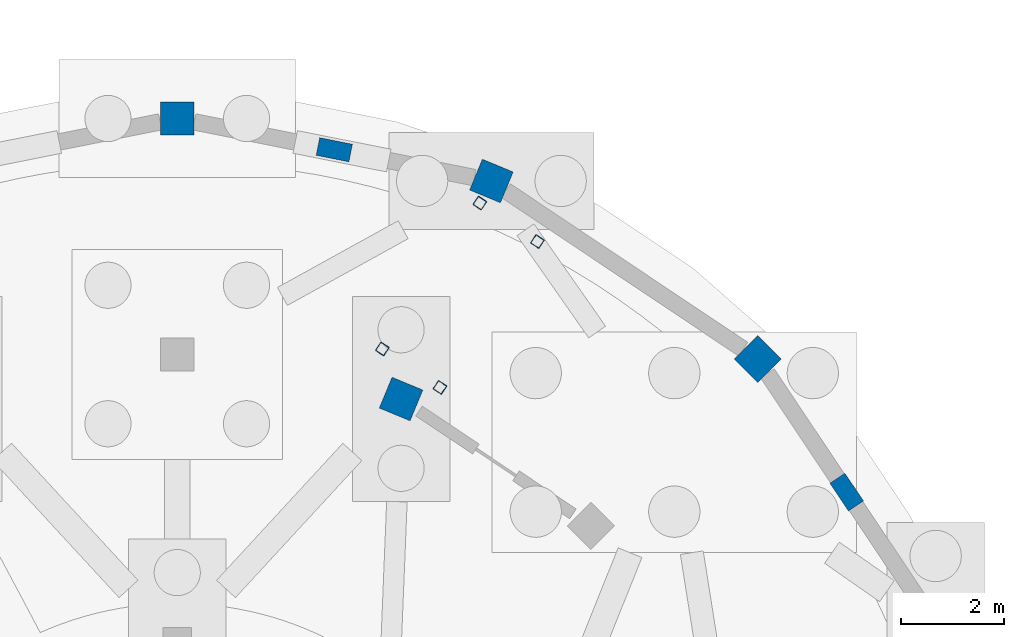
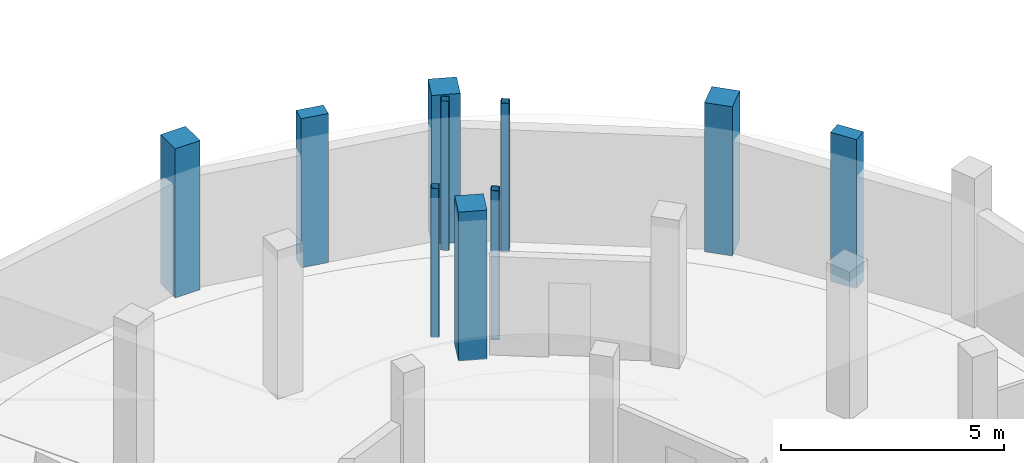
# One storey, part 25 of 58: 10 columns.
"""IFC4 building model written with IfcOpenShell, lengths in metres."""

from ifc_helpers import new_model, si_unit, direction, frame, origin, origin_2d, place, context, subcontext, project, spatial, rectangle, hollow_rectangle, extrude, material, material_profile, profile_set, type_object, element, save


model = new_model("IFC4")

# Units and contexts
model_context = context("Model", 3, precision=1e-05, world=origin(), true_north=direction((0.0, 1.0)))
body_context = subcontext(model_context, "Body", "Model", "MODEL_VIEW")
ifc_project = project(units=[si_unit("LENGTHUNIT", "METRE"), si_unit("AREAUNIT", "SQUARE_METRE"), si_unit("VOLUMEUNIT", "CUBIC_METRE"), si_unit("PLANEANGLEUNIT", "RADIAN"), si_unit("MASSUNIT", "GRAM", prefix="KILO")], contexts=[model_context])

# Site, building, storey
site_placement = place(None, origin())
site = spatial("IfcSite", under=ifc_project, at=site_placement, CompositionType="ELEMENT")
building_placement = place(site_placement, origin())
building = spatial("IfcBuilding", under=site, at=building_placement, Name="Caldaven Crescent School", CompositionType="ELEMENT")
storey_placement = place(building_placement, frame((0.0, 0.0, -4.080078125)))
storey = spatial("IfcBuildingStorey", under=building, at=storey_placement, Name="B1", CompositionType="ELEMENT", Elevation=-4.080078125)

# Columns
ifc_material_1 = material(Name="Steel ASTM A572 Grade 50", Category="steel")
ifc_material_profile_1 = material_profile(ifc_material_1, hollow_rectangle(XDim=0.199951171875, YDim=0.199951171875, WallThickness=0.010009765625, InnerFilletRadius=0.010009765625, OuterFilletRadius=0.02001953125, at=origin_2d()), Name="HSS 200x200x10")
ifc_profile_set_1 = profile_set([ifc_material_profile_1], Name="Steel ASTM A572 Grade 50")
column_type_1 = type_object("IfcColumnType", Name="COL-HS20", PredefinedType="COLUMN", material=ifc_profile_set_1)
for number, where, z_axis, x_axis, name in (
    (1, (30.52001953125, 112.102294921875, 0.0), (0.0, 0.0, 1.0), (-0.831469612303, 0.55557023302, 0.0), "COL-STPOST-STV2-B1-A"),
    (2, (28.6201171875, 109.258544921875, 0.0), (0.0, 0.0, 1.0), (-0.831469612303, 0.55557023302, 0.0), "COL-STPOST-STV2-B1-B"),
    (3, (29.397705078125, 112.852294921875, 0.0), (0.0, 0.0, 1.0), (-0.831469612303, 0.55557023302, 0.0), "COL-STPOST-STV2-B1-C"),
    (4, (27.49755859375, 110.008544921875, 0.0), (0.0, 0.0, 1.0), (-0.831469612303, 0.55557023302, 0.0), "COL-STPOST-STV2-B1-D"),
):
    element("IfcColumn", number, at=place(storey_placement, frame(where, z_axis=z_axis, x_axis=x_axis)), inside=storey, type_object=column_type_1, Name=name, PredefinedType="COLUMN", context=body_context, shape_type="SweptSolid", body=[
        extrude(hollow_rectangle(XDim=0.199951171875, YDim=0.199951171875, WallThickness=0.010009765625, InnerFilletRadius=0.010009765625, OuterFilletRadius=0.02001953125, at=origin_2d()), origin(), (0.0, 0.0, 1.0), 4.080078125),
    ])
ifc_material_2 = material(Name="Concrete C35/45", Category="concrete")
ifc_material_profile_2 = material_profile(ifc_material_2, rectangle(XDim=0.64990234375, YDim=0.64990234375, at=origin_2d()), Name="RC 650x650")
ifc_profile_set_2 = profile_set([ifc_material_profile_2], Name="Concrete C35/45")
column_type_2 = type_object("IfcColumnType", Name="COL-RC65", PredefinedType="COLUMN", material=ifc_profile_set_2)
for number, where, z_axis, x_axis, name in (
    (5, (34.813720703125, 109.813720703125, 0.0), (0.0, 0.0, 1.0), (0.707106781187, 0.707106781187, 0.0), "COL-V2-B1-OUT-02"),
    (6, (27.862548828125, 109.0322265625, 0.0), (0.0, 0.0, 1.0), (0.382683432365, 0.923879532511, 0.0), "COL-V2-B1-GAL-03"),
    (7, (29.623046875, 113.281982421875, 0.0), (0.0, 0.0, 1.0), (0.382683432365, 0.923879532511, 0.0), "COL-V2-B1-OUT-03"),
    (8, (23.5, 114.5, 0.0), (0.0, 0.0, 1.0), (0.0, 1.0, 0.0), "COL-V2-B1-OUT-04"),
):
    element("IfcColumn", number, at=place(storey_placement, frame(where, z_axis=z_axis, x_axis=x_axis)), inside=storey, type_object=column_type_2, Name=name, PredefinedType="COLUMN", context=body_context, shape_type="SweptSolid", body=[
        extrude(rectangle(XDim=0.64990234375, YDim=0.64990234375, at=origin_2d()), origin(), (0.0, 0.0, 1.0), 4.080078125),
    ])
ifc_material_3 = material(Name="Concrete C30/37", Category="concrete")
ifc_material_profile_3 = material_profile(ifc_material_3, rectangle(XDim=0.35009765625, YDim=0.64990234375, at=origin_2d()), Name="RC 350x650")
ifc_profile_set_3 = profile_set([ifc_material_profile_3], Name="Concrete C30/37")
column_type_3 = type_object("IfcColumnType", Name="PIL-RC35", PredefinedType="PILASTER", material=ifc_profile_set_3)
for number, where, z_axis, x_axis, name in (
    (9, (36.5478515625, 107.21826171875, 0.0), (0.0, 0.0, 1.0), (0.831469612303, 0.55557023302, 0.0), "PIL-V2-B1-00"),
    (10, (26.5615234375, 113.89111328125, 0.0), (0.0, 0.0, 1.0), (0.195090322016, 0.980785280403, 0.0), "PIL-V2-B1-01"),
):
    element("IfcColumn", number, at=place(storey_placement, frame(where, z_axis=z_axis, x_axis=x_axis)), inside=storey, type_object=column_type_3, Name=name, PredefinedType="PILASTER", context=body_context, shape_type="SweptSolid", body=[
        extrude(rectangle(XDim=0.35009765625, YDim=0.64990234375, at=origin_2d()), origin(), (0.0, 0.0, 1.0), 4.080078125),
    ])

save(model, "model.ifc")
